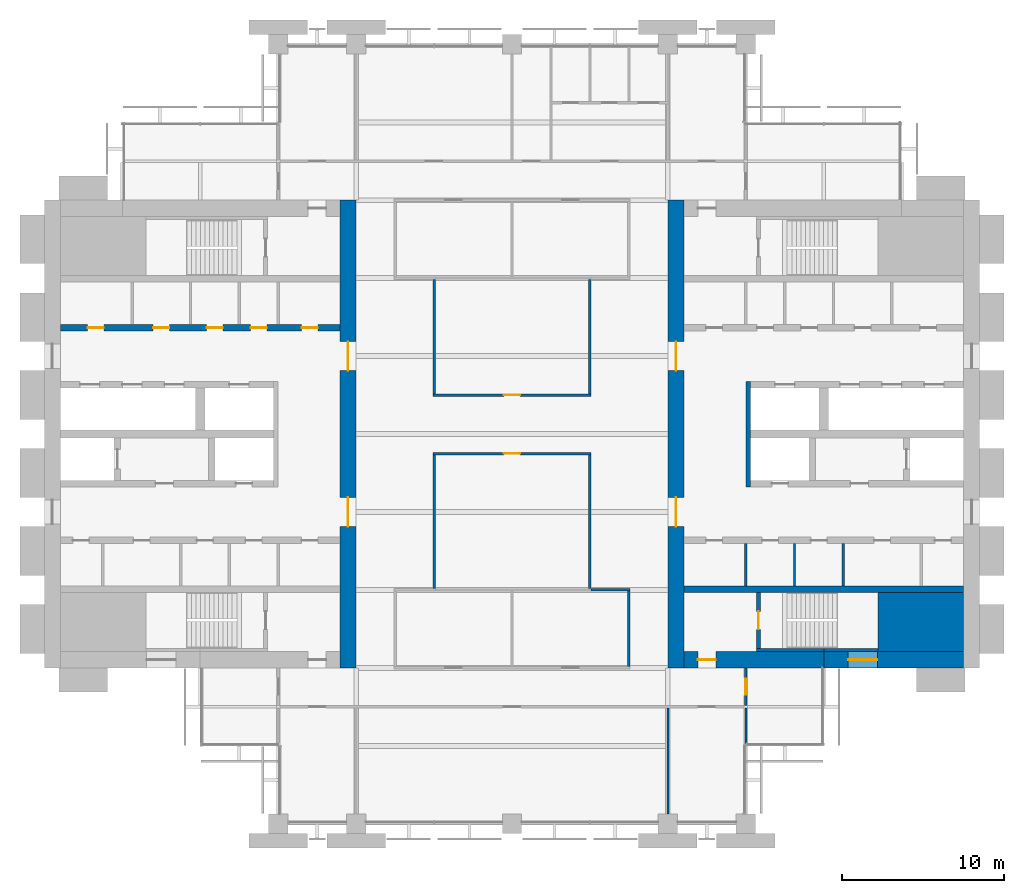
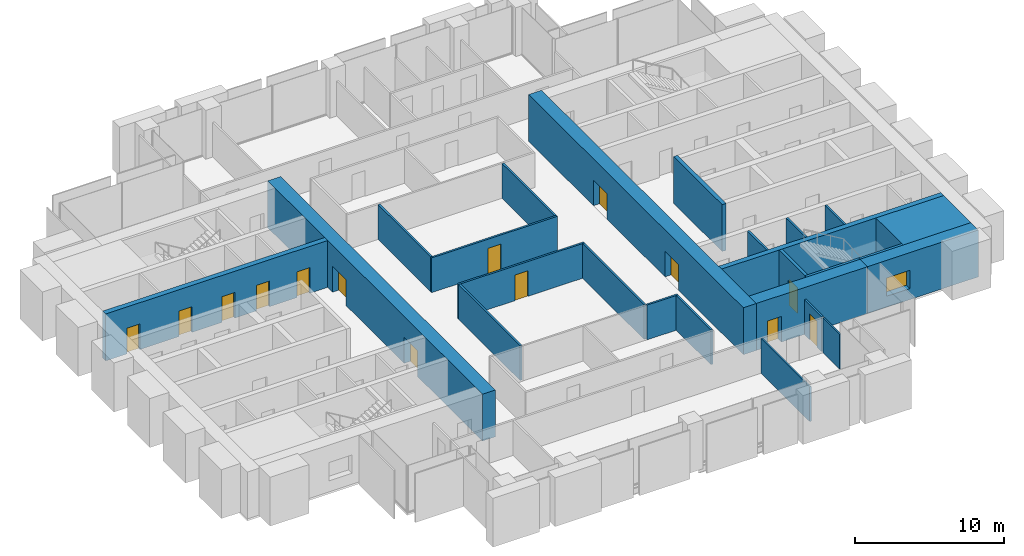
# One storey, part 10 of 14: 25 walls, 14 doors, 1 window, 15 openings.
"""IFC4 building model written with IfcOpenShell, lengths in metres."""

from ifc_helpers import new_model, si_unit, direction, frame, frame_2d, origin, place, context, subcontext, project, spatial, rectangle, extrude, material, layer, layer_set, type_object, element, fill, save


model = new_model("IFC4")

# Units and contexts
model_context = context("Model", 3, precision=1e-05, world=origin(), true_north=direction((0.0, 1.0)))
body_context = subcontext(model_context, "Body", "Model", "MODEL_VIEW")
ifc_project = project(units=[si_unit("LENGTHUNIT", "METRE"), si_unit("AREAUNIT", "SQUARE_METRE"), si_unit("VOLUMEUNIT", "CUBIC_METRE"), si_unit("PLANEANGLEUNIT", "RADIAN"), si_unit("MASSUNIT", "GRAM", prefix="KILO")], contexts=[model_context])

# Site, building, storey
site_placement = place(None, origin())
site = spatial("IfcSite", under=ifc_project, at=site_placement, CompositionType="ELEMENT")
building_placement = place(site_placement, origin())
building = spatial("IfcBuilding", under=site, at=building_placement, Name="Baori Bourse Tower", CompositionType="ELEMENT")
storey_placement = place(building_placement, frame((0.0, 0.0, 124.10009765625)))
storey = spatial("IfcBuildingStorey", under=building, at=storey_placement, Name="L26", CompositionType="ELEMENT", Elevation=124.10009765625)

# Walls
ifc_material_1 = material(Name="Concrete f'c 60 MPa", Category="concrete")
wall_type_1 = type_object("IfcWallType", Name="Core corner block f'c 60", PredefinedType="SHEAR", material=ifc_material_1)
wall_1_placement = place(storey_placement, frame((51.35009765625, 12.425048828125, 0.0), z_axis=(0.0, 0.0, 1.0), x_axis=(1.0, 0.0, 0.0)))
element("IfcWall", 1, at=wall_1_placement, inside=storey, type_object=wall_type_1, Name="Core wall E05", PredefinedType="SHEAR", context=body_context, shape_type="SweptSolid", body=[
    extrude(rectangle(XDim=5.25, YDim=3.64990234375, at=frame_2d((2.625, 0.0))), origin(), (0.0, 0.0, 1.0), 3.83984375),
])
ifc_material_2 = material(Name="Blockwork partition", Category="masonry")
ifc_layer_1 = layer(ifc_material_2, 0.14990234375)
ifc_layer_set_1 = layer_set([ifc_layer_1], Name="Core partition 150")
wall_type_2 = type_object("IfcWallType", Name="Core partition 150", PredefinedType="PARTITIONING", material=ifc_layer_set_1)
for number, where, z_axis, x_axis, name in (
    (2, (49.199951171875, 14.64990234375, 0.0), (0.0, 0.0, 1.0), (0.0, 1.0, 0.0), "Partition wall E11"),
    (3, (46.199951171875, 14.64990234375, 0.0), (0.0, 0.0, 1.0), (0.0, 1.0, 0.0), "Partition wall E12"),
    (4, (43.199951171875, 14.64990234375, 0.0), (0.0, 0.0, 1.0), (0.0, 1.0, 0.0), "Partition wall E13"),
):
    element("IfcWall", number, at=place(storey_placement, frame(where, z_axis=z_axis, x_axis=x_axis)), inside=storey, type_object=wall_type_2, Name=name, PredefinedType="PARTITIONING", context=body_context, shape_type="SweptSolid", body=[
        extrude(rectangle(XDim=2.60009765625, YDim=0.14990234375, at=frame_2d((1.300048828125, 0.0))), origin(), (0.0, 0.0, 1.0), 3.83984375),
    ])

# Wall, openings, doors
ifc_material_3 = material(Name="Concrete f'c 60 MPa", Category="concrete")
ifc_layer_2 = layer(ifc_material_3, 1.0)
ifc_layer_set_2 = layer_set([ifc_layer_2], Name="Core wall 1000 f'c 60")
wall_type_3 = type_object("IfcWallType", Name="Core wall 1000 f'c 60", PredefinedType="SHEAR", material=ifc_layer_set_2)
wall_2_placement = place(storey_placement, frame((18.699951171875, 38.39990234375, 0.0), z_axis=(0.0, 0.0, 1.0), x_axis=(0.0, -1.0, 0.0)))
wall_2 = element("IfcWall", 5, at=wall_2_placement, inside=storey, type_object=wall_type_3, Name="Core wall W04", PredefinedType="SHEAR", context=body_context, shape_type="SweptSolid", body=[
    extrude(rectangle(XDim=28.7998046875, YDim=1.0, at=frame_2d((14.39990234375, 0.0))), origin(), (0.0, 0.0, 1.0), 3.83984375),
])
opening_1_placement = place(wall_2_placement, frame((18.300048828125, 0.0, 0.0)))
opening_1 = element("IfcOpeningElement", 6, at=opening_1_placement, cuts=wall_2, Name="Opening L26-D107", PredefinedType="OPENING", context=body_context, shape_type="SweptSolid", body=[
    extrude(rectangle(XDim=1.800048828125, YDim=2.10009765625, at=frame_2d((0.89990234375, 1.050048828125))), frame((0.0, 0.510009765625, 0.0), z_axis=(0.0, -1.0, 0.0), x_axis=(1.0, 0.0, 0.0)), (0.0, 0.0, 1.0), 1.02001953125),
])
opening_2_placement = place(wall_2_placement, frame((8.699951171875, 0.0, 0.0)))
opening_2 = element("IfcOpeningElement", 7, at=opening_2_placement, cuts=wall_2, Name="Opening L26-D108", PredefinedType="OPENING", context=body_context, shape_type="SweptSolid", body=[
    extrude(rectangle(XDim=1.800048828125, YDim=2.10009765625, at=frame_2d((0.89990234375, 1.050048828125))), frame((0.0, 0.510009765625, 0.0), z_axis=(0.0, -1.0, 0.0), x_axis=(1.0, 0.0, 0.0)), (0.0, 0.0, 1.0), 1.02001953125),
])
ifc_material_4 = material(Name="Painted steel door", Category="steel")
door_type_1 = type_object("IfcDoorType", Name="Core lobby door 1800", OperationType="DOUBLE_DOOR_SINGLE_SWING", PredefinedType="DOOR", material=ifc_material_4)
door_1_placement = place(opening_1_placement, origin())
door_1 = element("IfcDoor", 8, at=door_1_placement, inside=storey, type_object=door_type_1, Name="Lobby door W L26", OperationType="DOUBLE_DOOR_SINGLE_SWING", OverallHeight=2.10009765625, OverallWidth=1.800048828125, PredefinedType="DOOR", context=body_context, shape_type="SweptSolid", body=[
    extrude(rectangle(XDim=1.800048828125, YDim=2.10009765625, at=frame_2d((0.89990234375, 1.050048828125))), frame((0.0, 0.02490234375, 0.0), z_axis=(0.0, -1.0, 0.0), x_axis=(1.0, 0.0, 0.0)), (0.0, 0.0, 1.0), 0.050048828125),
])
fill(opening_1, door_1)
door_2_placement = place(opening_2_placement, origin())
door_2 = element("IfcDoor", 9, at=door_2_placement, inside=storey, type_object=door_type_1, Name="Lobby door W L26", OperationType="DOUBLE_DOOR_SINGLE_SWING", OverallHeight=2.10009765625, OverallWidth=1.800048828125, PredefinedType="DOOR", context=body_context, shape_type="SweptSolid", body=[
    extrude(rectangle(XDim=1.800048828125, YDim=2.10009765625, at=frame_2d((0.89990234375, 1.050048828125))), frame((0.0, 0.02490234375, 0.0), z_axis=(0.0, -1.0, 0.0), x_axis=(1.0, 0.0, 0.0)), (0.0, 0.0, 1.0), 0.050048828125),
])
fill(opening_2, door_2)

# Wall, opening, window
wall_3_placement = place(storey_placement, frame((56.60009765625, 10.10009765625, 0.0), z_axis=(0.0, 0.0, 1.0), x_axis=(-1.0, 0.0, 0.0)))
wall_3 = element("IfcWall", 10, at=wall_3_placement, inside=storey, type_object=wall_type_3, Name="Core wall E02", PredefinedType="SHEAR", context=body_context, shape_type="SweptSolid", body=[
    extrude(rectangle(XDim=8.60009765625, YDim=1.0, at=frame_2d((4.300048828125, 0.0))), origin(), (0.0, 0.0, 1.0), 3.83984375),
])
opening_3_placement = place(wall_3_placement, frame((5.300048828125, 0.0, 0.89990234375)))
opening_3 = element("IfcOpeningElement", 11, at=opening_3_placement, cuts=wall_3, Name="Opening L26-KW203", PredefinedType="OPENING", context=body_context, shape_type="SweptSolid", body=[
    extrude(rectangle(XDim=1.800048828125, YDim=1.5, at=frame_2d((0.89990234375, 0.75))), frame((0.0, 0.510009765625, 0.0), z_axis=(0.0, -1.0, 0.0), x_axis=(1.0, 0.0, 0.0)), (0.0, 0.0, 1.0), 1.02001953125),
])
ifc_material_5 = material(Name="Pale anodised aluminium", Category="aluminium")
window_type = type_object("IfcWindowType", Name="Stair window 1800 x 1500", PartitioningType="SINGLE_PANEL", PredefinedType="WINDOW", material=ifc_material_5)
window_placement = place(opening_3_placement, origin())
window = element("IfcWindow", 12, at=window_placement, inside=storey, type_object=window_type, Name="Stair window E L26 3", OverallHeight=1.5, OverallWidth=1.800048828125, PartitioningType="SINGLE_PANEL", PredefinedType="WINDOW", context=body_context, shape_type="SweptSolid", body=[
    extrude(rectangle(XDim=1.800048828125, YDim=1.5, at=frame_2d((0.89990234375, 0.75))), frame((0.0, 0.030029296875, 0.0), z_axis=(0.0, -1.0, 0.0), x_axis=(1.0, 0.0, 0.0)), (0.0, 0.0, 1.0), 0.06005859375),
])
fill(opening_3, window)

# Wall, opening, door
wall_4_placement = place(storey_placement, frame((48.0, 10.10009765625, 0.0), z_axis=(0.0, 0.0, 1.0), x_axis=(-1.0, 0.0, 0.0)))
wall_4 = element("IfcWall", 13, at=wall_4_placement, inside=storey, type_object=wall_type_3, Name="Core wall E03", PredefinedType="SHEAR", context=body_context, shape_type="SweptSolid", body=[
    extrude(rectangle(XDim=8.60009765625, YDim=1.0, at=frame_2d((4.300048828125, 0.0))), origin(), (0.0, 0.0, 1.0), 3.83984375),
])
opening_4_placement = place(wall_4_placement, frame((6.64990234375, 0.0, 0.0)))
opening_4 = element("IfcOpeningElement", 14, at=opening_4_placement, cuts=wall_4, Name="Opening L26-D202", PredefinedType="OPENING", context=body_context, shape_type="SweptSolid", body=[
    extrude(rectangle(XDim=1.10009765625, YDim=2.10009765625, at=frame_2d((0.550048828125, 1.050048828125))), frame((0.0, 0.510009765625, 0.0), z_axis=(0.0, -1.0, 0.0), x_axis=(1.0, 0.0, 0.0)), (0.0, 0.0, 1.0), 1.02001953125),
])
ifc_material_6 = material(Name="Painted steel door", Category="steel")
door_type_2 = type_object("IfcDoorType", Name="Stair door 1100", OperationType="SINGLE_SWING_LEFT", PredefinedType="DOOR", material=ifc_material_6)
door_3_placement = place(opening_4_placement, origin())
door_3 = element("IfcDoor", 15, at=door_3_placement, inside=storey, type_object=door_type_2, Name="Stair vestibule door A E L26", OperationType="SINGLE_SWING_LEFT", OverallHeight=2.10009765625, OverallWidth=1.10009765625, PredefinedType="DOOR", context=body_context, shape_type="SweptSolid", body=[
    extrude(rectangle(XDim=1.10009765625, YDim=2.10009765625, at=frame_2d((0.550048828125, 1.050048828125))), frame((0.0, 0.02490234375, 0.0), z_axis=(0.0, -1.0, 0.0), x_axis=(1.0, 0.0, 0.0)), (0.0, 0.0, 1.0), 0.050048828125),
])
fill(opening_4, door_3)

# Wall, openings, doors
wall_5_placement = place(storey_placement, frame((38.89990234375, 9.60009765625, 0.0), z_axis=(0.0, 0.0, 1.0), x_axis=(0.0, 1.0, 0.0)))
wall_5 = element("IfcWall", 16, at=wall_5_placement, inside=storey, type_object=wall_type_3, Name="Core wall E04", PredefinedType="SHEAR", context=body_context, shape_type="SweptSolid", body=[
    extrude(rectangle(XDim=28.7998046875, YDim=1.0, at=frame_2d((14.39990234375, 0.0))), origin(), (0.0, 0.0, 1.0), 3.83984375),
])
opening_5_placement = place(wall_5_placement, frame((8.699951171875, 0.0, 0.0)))
opening_5 = element("IfcOpeningElement", 17, at=opening_5_placement, cuts=wall_5, Name="Opening L26-D207", PredefinedType="OPENING", context=body_context, shape_type="SweptSolid", body=[
    extrude(rectangle(XDim=1.800048828125, YDim=2.10009765625, at=frame_2d((0.89990234375, 1.050048828125))), frame((0.0, 0.510009765625, 0.0), z_axis=(0.0, -1.0, 0.0), x_axis=(1.0, 0.0, 0.0)), (0.0, 0.0, 1.0), 1.02001953125),
])
opening_6_placement = place(wall_5_placement, frame((18.300048828125, 0.0, 0.0)))
opening_6 = element("IfcOpeningElement", 18, at=opening_6_placement, cuts=wall_5, Name="Opening L26-D208", PredefinedType="OPENING", context=body_context, shape_type="SweptSolid", body=[
    extrude(rectangle(XDim=1.800048828125, YDim=2.10009765625, at=frame_2d((0.89990234375, 1.050048828125))), frame((0.0, 0.510009765625, 0.0), z_axis=(0.0, -1.0, 0.0), x_axis=(1.0, 0.0, 0.0)), (0.0, 0.0, 1.0), 1.02001953125),
])
door_4_placement = place(opening_5_placement, origin())
door_4 = element("IfcDoor", 19, at=door_4_placement, inside=storey, type_object=door_type_1, Name="Lobby door E L26", OperationType="DOUBLE_DOOR_SINGLE_SWING", OverallHeight=2.10009765625, OverallWidth=1.800048828125, PredefinedType="DOOR", context=body_context, shape_type="SweptSolid", body=[
    extrude(rectangle(XDim=1.800048828125, YDim=2.10009765625, at=frame_2d((0.89990234375, 1.050048828125))), frame((0.0, 0.02490234375, 0.0), z_axis=(0.0, -1.0, 0.0), x_axis=(1.0, 0.0, 0.0)), (0.0, 0.0, 1.0), 0.050048828125),
])
fill(opening_5, door_4)
door_5_placement = place(opening_6_placement, origin())
door_5 = element("IfcDoor", 20, at=door_5_placement, inside=storey, type_object=door_type_1, Name="Lobby door E L26", OperationType="DOUBLE_DOOR_SINGLE_SWING", OverallHeight=2.10009765625, OverallWidth=1.800048828125, PredefinedType="DOOR", context=body_context, shape_type="SweptSolid", body=[
    extrude(rectangle(XDim=1.800048828125, YDim=2.10009765625, at=frame_2d((0.89990234375, 1.050048828125))), frame((0.0, 0.02490234375, 0.0), z_axis=(0.0, -1.0, 0.0), x_axis=(1.0, 0.0, 0.0)), (0.0, 0.0, 1.0), 0.050048828125),
])
fill(opening_6, door_5)

# Wall
ifc_material_7 = material(Name="Gypsum board partition")
ifc_layer_3 = layer(ifc_material_7, 0.14990234375)
ifc_layer_set_3 = layer_set([ifc_layer_3], Name="Corridor partition 150")
wall_type_4 = type_object("IfcWallType", Name="Corridor partition 150", PredefinedType="PARTITIONING", material=ifc_layer_set_3)
wall_6_placement = place(storey_placement, frame((33.675048828125, 14.39990234375, 0.0), z_axis=(0.0, 0.0, 1.0), x_axis=(1.0, 0.0, 0.0)))
element("IfcWall", 21, at=wall_6_placement, inside=storey, type_object=wall_type_4, Name="Partition", PredefinedType="PARTITIONING", context=body_context, shape_type="SweptSolid", body=[
    extrude(rectangle(XDim=2.39990234375, YDim=0.14990234375, at=frame_2d((1.199951171875, 0.0))), origin(), (0.0, 0.0, 1.0), 2.849365234375),
])

# Wall, opening, door
wall_7_placement = place(storey_placement, frame((23.925048828125, 22.800048828125, 0.0), z_axis=(0.0, 0.0, 1.0), x_axis=(1.0, 0.0, 0.0)))
wall_7 = element("IfcWall", 22, at=wall_7_placement, inside=storey, type_object=wall_type_4, Name="Partition", PredefinedType="PARTITIONING", context=body_context, shape_type="SweptSolid", body=[
    extrude(rectangle(XDim=9.75, YDim=0.14990234375, at=frame_2d((4.875, 0.0))), origin(), (0.0, 0.0, 1.0), 2.849365234375),
])
opening_7_placement = place(wall_7_placement, frame((4.375, 0.0, 0.0)))
opening_7 = element("IfcOpeningElement", 23, at=opening_7_placement, cuts=wall_7, Name="Opening L26-D06", PredefinedType="OPENING", context=body_context, shape_type="SweptSolid", body=[
    extrude(rectangle(XDim=1.0, YDim=2.10009765625, at=frame_2d((0.5, 1.050048828125))), frame((0.0, 0.0849609375, 0.0), z_axis=(0.0, -1.0, 0.0), x_axis=(1.0, 0.0, 0.0)), (0.0, 0.0, 1.0), 0.169921875),
])
ifc_material_8 = material(Name="Timber door leaf", Category="wood")
door_type_3 = type_object("IfcDoorType", Name="Door 1000 x 2100", OperationType="SINGLE_SWING_LEFT", PredefinedType="DOOR", material=ifc_material_8)
door_6_placement = place(opening_7_placement, origin())
door_6 = element("IfcDoor", 24, at=door_6_placement, inside=storey, type_object=door_type_3, Name="Door", OperationType="SINGLE_SWING_RIGHT", OverallHeight=2.10009765625, OverallWidth=1.0, PredefinedType="DOOR", context=body_context, shape_type="SweptSolid", body=[
    extrude(rectangle(XDim=1.0, YDim=2.10009765625, at=frame_2d((0.5, 1.050048828125))), frame((0.0, 0.02490234375, 0.0), z_axis=(0.0, -1.0, 0.0), x_axis=(1.0, 0.0, 0.0)), (0.0, 0.0, 1.0), 0.050048828125),
])
fill(opening_7, door_6)

wall_8_placement = place(storey_placement, frame((23.925048828125, 26.39990234375, 0.0), z_axis=(0.0, 0.0, 1.0), x_axis=(1.0, 0.0, 0.0)))
wall_8 = element("IfcWall", 25, at=wall_8_placement, inside=storey, type_object=wall_type_4, Name="Partition", PredefinedType="PARTITIONING", context=body_context, shape_type="SweptSolid", body=[
    extrude(rectangle(XDim=9.75, YDim=0.14990234375, at=frame_2d((4.875, 0.0))), origin(), (0.0, 0.0, 1.0), 2.849365234375),
])
opening_8_placement = place(wall_8_placement, frame((4.375, 0.0, 0.0)))
opening_8 = element("IfcOpeningElement", 26, at=opening_8_placement, cuts=wall_8, Name="Opening L26-D07", PredefinedType="OPENING", context=body_context, shape_type="SweptSolid", body=[
    extrude(rectangle(XDim=1.0, YDim=2.10009765625, at=frame_2d((0.5, 1.050048828125))), frame((0.0, 0.0849609375, 0.0), z_axis=(0.0, -1.0, 0.0), x_axis=(1.0, 0.0, 0.0)), (0.0, 0.0, 1.0), 0.169921875),
])
door_7_placement = place(opening_8_placement, origin())
door_7 = element("IfcDoor", 27, at=door_7_placement, inside=storey, type_object=door_type_3, Name="Door", OperationType="SINGLE_SWING_LEFT", OverallHeight=2.10009765625, OverallWidth=1.0, PredefinedType="DOOR", context=body_context, shape_type="SweptSolid", body=[
    extrude(rectangle(XDim=1.0, YDim=2.10009765625, at=frame_2d((0.5, 1.050048828125))), frame((0.0, 0.02490234375, 0.0), z_axis=(0.0, -1.0, 0.0), x_axis=(1.0, 0.0, 0.0)), (0.0, 0.0, 1.0), 0.050048828125),
])
fill(opening_8, door_7)

# Walls
wall_9_placement = place(storey_placement, frame((24.0, 14.47509765625, 0.0), z_axis=(0.0, 0.0, 1.0), x_axis=(0.0, 1.0, 0.0)))
element("IfcWall", 28, at=wall_9_placement, inside=storey, type_object=wall_type_4, Name="Partition", PredefinedType="PARTITIONING", context=body_context, shape_type="SweptSolid", body=[
    extrude(rectangle(XDim=8.25, YDim=0.14990234375, at=frame_2d((4.125, 0.0))), origin(), (0.0, 0.0, 1.0), 2.849365234375),
])
wall_10_placement = place(storey_placement, frame((24.0, 26.47509765625, 0.0), z_axis=(0.0, 0.0, 1.0), x_axis=(0.0, 1.0, 0.0)))
element("IfcWall", 29, at=wall_10_placement, inside=storey, type_object=wall_type_4, Name="Partition", PredefinedType="PARTITIONING", context=body_context, shape_type="SweptSolid", body=[
    extrude(rectangle(XDim=7.0498046875, YDim=0.14990234375, at=frame_2d((3.52490234375, 0.0))), origin(), (0.0, 0.0, 1.0), 2.849365234375),
])
wall_11_placement = place(storey_placement, frame((33.60009765625, 14.47509765625, 0.0), z_axis=(0.0, 0.0, 1.0), x_axis=(0.0, 1.0, 0.0)))
element("IfcWall", 30, at=wall_11_placement, inside=storey, type_object=wall_type_4, Name="Partition", PredefinedType="PARTITIONING", context=body_context, shape_type="SweptSolid", body=[
    extrude(rectangle(XDim=8.25, YDim=0.14990234375, at=frame_2d((4.125, 0.0))), origin(), (0.0, 0.0, 1.0), 2.849365234375),
])
wall_12_placement = place(storey_placement, frame((33.60009765625, 26.47509765625, 0.0), z_axis=(0.0, 0.0, 1.0), x_axis=(0.0, 1.0, 0.0)))
element("IfcWall", 31, at=wall_12_placement, inside=storey, type_object=wall_type_4, Name="Partition", PredefinedType="PARTITIONING", context=body_context, shape_type="SweptSolid", body=[
    extrude(rectangle(XDim=7.0498046875, YDim=0.14990234375, at=frame_2d((3.52490234375, 0.0))), origin(), (0.0, 0.0, 1.0), 2.849365234375),
])
wall_13_placement = place(storey_placement, frame((36.0, 9.675048828125, 0.0), z_axis=(0.0, 0.0, 1.0), x_axis=(0.0, 1.0, 0.0)))
element("IfcWall", 32, at=wall_13_placement, inside=storey, type_object=wall_type_4, Name="Partition", PredefinedType="PARTITIONING", context=body_context, shape_type="SweptSolid", body=[
    extrude(rectangle(XDim=4.64990234375, YDim=0.14990234375, at=frame_2d((2.324951171875, 0.0))), origin(), (0.0, 0.0, 1.0), 2.849365234375),
])

# Wall, opening, door
wall_14_placement = place(storey_placement, frame((43.199951171875, 7.27490234375, 0.0), z_axis=(0.0, 0.0, 1.0), x_axis=(0.0, 1.0, 0.0)))
wall_14 = element("IfcWall", 33, at=wall_14_placement, inside=storey, type_object=wall_type_4, Name="Partition", PredefinedType="PARTITIONING", context=body_context, shape_type="SweptSolid", body=[
    extrude(rectangle(XDim=2.3251953125, YDim=0.14990234375, at=frame_2d((1.16259765625, 0.0))), origin(), (0.0, 0.0, 1.0), 2.849365234375),
])
opening_9_placement = place(wall_14_placement, frame((0.66259765625, 0.0, 0.0)))
opening_9 = element("IfcOpeningElement", 34, at=opening_9_placement, cuts=wall_14, Name="Opening L26-D20", PredefinedType="OPENING", context=body_context, shape_type="SweptSolid", body=[
    extrude(rectangle(XDim=1.0, YDim=2.10009765625, at=frame_2d((0.5, 1.050048828125))), frame((0.0, 0.0849609375, 0.0), z_axis=(0.0, -1.0, 0.0), x_axis=(1.0, 0.0, 0.0)), (0.0, 0.0, 1.0), 0.169921875),
])
door_8_placement = place(opening_9_placement, origin())
door_8 = element("IfcDoor", 35, at=door_8_placement, inside=storey, type_object=door_type_3, Name="Door", OperationType="SINGLE_SWING_LEFT", OverallHeight=2.10009765625, OverallWidth=1.0, PredefinedType="DOOR", context=body_context, shape_type="SweptSolid", body=[
    extrude(rectangle(XDim=1.0, YDim=2.10009765625, at=frame_2d((0.5, 1.050048828125))), frame((0.0, 0.02490234375, 0.0), z_axis=(0.0, -1.0, 0.0), x_axis=(1.0, 0.0, 0.0)), (0.0, 0.0, 1.0), 0.050048828125),
])
fill(opening_9, door_8)

# Walls
ifc_material_9 = material(Name="Gypsum board partition")
ifc_layer_4 = layer(ifc_material_9, 0.125)
ifc_layer_set_4 = layer_set([ifc_layer_4], Name="Partition 125")
wall_type_5 = type_object("IfcWallType", Name="Partition 125", PredefinedType="PARTITIONING", material=ifc_layer_set_4)
wall_15_placement = place(storey_placement, frame((38.39990234375, 0.60009765625, 0.0), z_axis=(0.0, 0.0, 1.0), x_axis=(0.0, 1.0, 0.0)))
element("IfcWall", 36, at=wall_15_placement, inside=storey, type_object=wall_type_5, Name="Partition", PredefinedType="PARTITIONING", context=body_context, shape_type="SweptSolid", body=[
    extrude(rectangle(XDim=6.52490234375, YDim=0.125, at=frame_2d((3.262451171875, 0.0))), origin(), (0.0, 0.0, 1.0), 2.849365234375),
])
wall_16_placement = place(storey_placement, frame((43.199951171875, 4.89990234375, 0.0), z_axis=(0.0, 0.0, 1.0), x_axis=(0.0, 1.0, 0.0)))
element("IfcWall", 37, at=wall_16_placement, inside=storey, type_object=wall_type_5, Name="Partition", PredefinedType="PARTITIONING", context=body_context, shape_type="SweptSolid", body=[
    extrude(rectangle(XDim=2.22509765625, YDim=0.125, at=frame_2d((1.112548828125, 0.0))), origin(), (0.0, 0.0, 1.0), 2.849365234375),
])
ifc_material_10 = material(Name="Concrete f'c 60 MPa", Category="concrete")
ifc_layer_5 = layer(ifc_material_10, 0.199951171875)
ifc_layer_set_5 = layer_set([ifc_layer_5], Name="Shaft wall 200 f'c 60")
wall_type_6 = type_object("IfcWallType", Name="Shaft wall 200 f'c 60", PredefinedType="SHEAR", material=ifc_layer_set_5)
wall_17_placement = place(storey_placement, frame((48.0, 10.699951171875, 0.0), z_axis=(0.0, 0.0, 1.0), x_axis=(1.0, 0.0, 0.0)))
element("IfcWall", 38, at=wall_17_placement, inside=storey, type_object=wall_type_6, Name="Core wall E06", PredefinedType="SHEAR", context=body_context, shape_type="SweptSolid", body=[
    extrude(rectangle(XDim=3.35009765625, YDim=0.199951171875, at=frame_2d((1.675048828125, 0.0))), origin(), (0.0, 0.0, 1.0), 3.83984375),
])
wall_18_placement = place(storey_placement, frame((43.85009765625, 10.699951171875, 0.0), z_axis=(0.0, 0.0, 1.0), x_axis=(1.0, 0.0, 0.0)))
element("IfcWall", 39, at=wall_18_placement, inside=storey, type_object=wall_type_6, Name="Core wall E07", PredefinedType="SHEAR", context=body_context, shape_type="SweptSolid", body=[
    extrude(rectangle(XDim=4.14990234375, YDim=0.199951171875, at=frame_2d((2.074951171875, 0.0))), origin(), (0.0, 0.0, 1.0), 3.83984375),
])

# Wall, opening, door
ifc_material_11 = material(Name="Concrete f'c 60 MPa", Category="concrete")
ifc_layer_6 = layer(ifc_material_11, 0.25)
ifc_layer_set_6 = layer_set([ifc_layer_6], Name="Shaft wall 250 f'c 60")
wall_type_7 = type_object("IfcWallType", Name="Shaft wall 250 f'c 60", PredefinedType="SHEAR", material=ifc_layer_set_6)
wall_19_placement = place(storey_placement, frame((43.97509765625, 10.800048828125, 0.0), z_axis=(0.0, 0.0, 1.0), x_axis=(0.0, 1.0, 0.0)))
wall_19 = element("IfcWall", 40, at=wall_19_placement, inside=storey, type_object=wall_type_7, Name="Core wall E08", PredefinedType="SHEAR", context=body_context, shape_type="SweptSolid", body=[
    extrude(rectangle(XDim=3.449951171875, YDim=0.25, at=frame_2d((1.72509765625, 0.0))), origin(), (0.0, 0.0, 1.0), 3.83984375),
])
opening_10_placement = place(wall_19_placement, frame((1.175048828125, 0.0, 0.0)))
opening_10 = element("IfcOpeningElement", 41, at=opening_10_placement, cuts=wall_19, Name="Opening L26-D201", PredefinedType="OPENING", context=body_context, shape_type="SweptSolid", body=[
    extrude(rectangle(XDim=1.10009765625, YDim=2.10009765625, at=frame_2d((0.550048828125, 1.050048828125))), frame((0.0, 0.135009765625, 0.0), z_axis=(0.0, -1.0, 0.0), x_axis=(1.0, 0.0, 0.0)), (0.0, 0.0, 1.0), 0.27001953125),
])
door_9_placement = place(opening_10_placement, origin())
door_9 = element("IfcDoor", 42, at=door_9_placement, inside=storey, type_object=door_type_2, Name="Stair door A E L26", OperationType="SINGLE_SWING_LEFT", OverallHeight=2.10009765625, OverallWidth=1.10009765625, PredefinedType="DOOR", context=body_context, shape_type="SweptSolid", body=[
    extrude(rectangle(XDim=1.10009765625, YDim=2.10009765625, at=frame_2d((0.550048828125, 1.050048828125))), frame((0.0, 0.02490234375, 0.0), z_axis=(0.0, -1.0, 0.0), x_axis=(1.0, 0.0, 0.0)), (0.0, 0.0, 1.0), 0.050048828125),
])
fill(opening_10, door_9)

# Wall
ifc_material_12 = material(Name="Concrete f'c 60 MPa", Category="concrete")
ifc_layer_7 = layer(ifc_material_12, 0.300048828125)
ifc_layer_set_7 = layer_set([ifc_layer_7], Name="Shaft wall 300 f'c 60")
wall_type_8 = type_object("IfcWallType", Name="Shaft wall 300 f'c 60", PredefinedType="SHEAR", material=ifc_layer_set_7)
wall_20_placement = place(storey_placement, frame((43.35009765625, 20.75, 0.0), z_axis=(0.0, 0.0, 1.0), x_axis=(0.0, 1.0, 0.0)))
element("IfcWall", 43, at=wall_20_placement, inside=storey, type_object=wall_type_8, Name="Core wall E16", PredefinedType="SHEAR", context=body_context, shape_type="SweptSolid", body=[
    extrude(rectangle(XDim=6.5, YDim=0.300048828125, at=frame_2d((3.25, 0.0))), origin(), (0.0, 0.0, 1.0), 3.83984375),
])

# Wall, openings, doors
ifc_material_13 = material(Name="Concrete f'c 60 MPa", Category="concrete")
ifc_layer_8 = layer(ifc_material_13, 0.39990234375)
ifc_layer_set_8 = layer_set([ifc_layer_8], Name="Shaft wall 400 f'c 60")
wall_type_9 = type_object("IfcWallType", Name="Shaft wall 400 f'c 60", PredefinedType="SHEAR", material=ifc_layer_set_8)
wall_21_placement = place(storey_placement, frame((1.0, 30.550048828125, 0.0), z_axis=(0.0, 0.0, 1.0), x_axis=(1.0, 0.0, 0.0)))
wall_21 = element("IfcWall", 44, at=wall_21_placement, inside=storey, type_object=wall_type_9, Name="Core wall W22", PredefinedType="SHEAR", context=body_context, shape_type="SweptSolid", body=[
    extrude(rectangle(XDim=17.199951171875, YDim=0.39990234375, at=frame_2d((8.60009765625, 0.0))), origin(), (0.0, 0.0, 1.0), 3.83984375),
])
opening_11_placement = place(wall_21_placement, frame((1.66259765625, 0.0, 0.0)))
opening_11 = element("IfcOpeningElement", 45, at=opening_11_placement, cuts=wall_21, Name="Opening L26-D109", PredefinedType="OPENING", context=body_context, shape_type="SweptSolid", body=[
    extrude(rectangle(XDim=1.0, YDim=2.10009765625, at=frame_2d((0.5, 1.050048828125))), frame((0.0, 0.2099609375, 0.0), z_axis=(0.0, -1.0, 0.0), x_axis=(1.0, 0.0, 0.0)), (0.0, 0.0, 1.0), 0.419921875),
])
opening_12_placement = place(wall_21_placement, frame((5.699951171875, 0.0, 0.0)))
opening_12 = element("IfcOpeningElement", 46, at=opening_12_placement, cuts=wall_21, Name="Opening L26-D110", PredefinedType="OPENING", context=body_context, shape_type="SweptSolid", body=[
    extrude(rectangle(XDim=1.0, YDim=2.10009765625, at=frame_2d((0.5, 1.050048828125))), frame((0.0, 0.2099609375, 0.0), z_axis=(0.0, -1.0, 0.0), x_axis=(1.0, 0.0, 0.0)), (0.0, 0.0, 1.0), 0.419921875),
])
opening_13_placement = place(wall_21_placement, frame((9.0, 0.0, 0.0)))
opening_13 = element("IfcOpeningElement", 47, at=opening_13_placement, cuts=wall_21, Name="Opening L26-D111", PredefinedType="OPENING", context=body_context, shape_type="SweptSolid", body=[
    extrude(rectangle(XDim=1.0, YDim=2.10009765625, at=frame_2d((0.5, 1.050048828125))), frame((0.0, 0.2099609375, 0.0), z_axis=(0.0, -1.0, 0.0), x_axis=(1.0, 0.0, 0.0)), (0.0, 0.0, 1.0), 0.419921875),
])
opening_14_placement = place(wall_21_placement, frame((11.699951171875, 0.0, 0.0)))
opening_14 = element("IfcOpeningElement", 48, at=opening_14_placement, cuts=wall_21, Name="Opening L26-D112", PredefinedType="OPENING", context=body_context, shape_type="SweptSolid", body=[
    extrude(rectangle(XDim=1.0, YDim=2.10009765625, at=frame_2d((0.5, 1.050048828125))), frame((0.0, 0.2099609375, 0.0), z_axis=(0.0, -1.0, 0.0), x_axis=(1.0, 0.0, 0.0)), (0.0, 0.0, 1.0), 0.419921875),
])
opening_15_placement = place(wall_21_placement, frame((14.83740234375, 0.0, 0.0)))
opening_15 = element("IfcOpeningElement", 49, at=opening_15_placement, cuts=wall_21, Name="Opening L26-D113", PredefinedType="OPENING", context=body_context, shape_type="SweptSolid", body=[
    extrude(rectangle(XDim=1.0, YDim=2.10009765625, at=frame_2d((0.5, 1.050048828125))), frame((0.0, 0.2099609375, 0.0), z_axis=(0.0, -1.0, 0.0), x_axis=(1.0, 0.0, 0.0)), (0.0, 0.0, 1.0), 0.419921875),
])
ifc_material_14 = material(Name="Painted steel door", Category="steel")
door_type_4 = type_object("IfcDoorType", Name="Core door 1000", OperationType="SINGLE_SWING_LEFT", PredefinedType="DOOR", material=ifc_material_14)
door_10_placement = place(opening_11_placement, origin())
door_10 = element("IfcDoor", 50, at=door_10_placement, inside=storey, type_object=door_type_4, Name="Men'S Wc door W L26", OperationType="SINGLE_SWING_LEFT", OverallHeight=2.10009765625, OverallWidth=1.0, PredefinedType="DOOR", context=body_context, shape_type="SweptSolid", body=[
    extrude(rectangle(XDim=1.0, YDim=2.10009765625, at=frame_2d((0.5, 1.050048828125))), frame((0.0, 0.02490234375, 0.0), z_axis=(0.0, -1.0, 0.0), x_axis=(1.0, 0.0, 0.0)), (0.0, 0.0, 1.0), 0.050048828125),
])
fill(opening_11, door_10)
door_11_placement = place(opening_12_placement, origin())
door_11 = element("IfcDoor", 51, at=door_11_placement, inside=storey, type_object=door_type_4, Name="Women'S Wc door W L26", OperationType="SINGLE_SWING_LEFT", OverallHeight=2.10009765625, OverallWidth=1.0, PredefinedType="DOOR", context=body_context, shape_type="SweptSolid", body=[
    extrude(rectangle(XDim=1.0, YDim=2.10009765625, at=frame_2d((0.5, 1.050048828125))), frame((0.0, 0.02490234375, 0.0), z_axis=(0.0, -1.0, 0.0), x_axis=(1.0, 0.0, 0.0)), (0.0, 0.0, 1.0), 0.050048828125),
])
fill(opening_12, door_11)
door_12_placement = place(opening_15_placement, origin())
door_12 = element("IfcDoor", 52, at=door_12_placement, inside=storey, type_object=door_type_4, Name="Accessible Wc door W L26", OperationType="SINGLE_SWING_LEFT", OverallHeight=2.10009765625, OverallWidth=1.0, PredefinedType="DOOR", context=body_context, shape_type="SweptSolid", body=[
    extrude(rectangle(XDim=1.0, YDim=2.10009765625, at=frame_2d((0.5, 1.050048828125))), frame((0.0, 0.02490234375, 0.0), z_axis=(0.0, -1.0, 0.0), x_axis=(1.0, 0.0, 0.0)), (0.0, 0.0, 1.0), 0.050048828125),
])
fill(opening_15, door_12)
ifc_material_15 = material(Name="Painted steel door", Category="steel")
door_type_5 = type_object("IfcDoorType", Name="Plant room door 1000", OperationType="SINGLE_SWING_LEFT", PredefinedType="DOOR", material=ifc_material_15)
door_13_placement = place(opening_13_placement, origin())
door_13 = element("IfcDoor", 53, at=door_13_placement, inside=storey, type_object=door_type_5, Name="Communications Room door W L26", OperationType="SINGLE_SWING_LEFT", OverallHeight=2.10009765625, OverallWidth=1.0, PredefinedType="DOOR", context=body_context, shape_type="SweptSolid", body=[
    extrude(rectangle(XDim=1.0, YDim=2.10009765625, at=frame_2d((0.5, 1.050048828125))), frame((0.0, 0.02490234375, 0.0), z_axis=(0.0, -1.0, 0.0), x_axis=(1.0, 0.0, 0.0)), (0.0, 0.0, 1.0), 0.050048828125),
])
fill(opening_13, door_13)
door_14_placement = place(opening_14_placement, origin())
door_14 = element("IfcDoor", 54, at=door_14_placement, inside=storey, type_object=door_type_5, Name="Plumbing Equipment Room door W L26", OperationType="SINGLE_SWING_LEFT", OverallHeight=2.10009765625, OverallWidth=1.0, PredefinedType="DOOR", context=body_context, shape_type="SweptSolid", body=[
    extrude(rectangle(XDim=1.0, YDim=2.10009765625, at=frame_2d((0.5, 1.050048828125))), frame((0.0, 0.02490234375, 0.0), z_axis=(0.0, -1.0, 0.0), x_axis=(1.0, 0.0, 0.0)), (0.0, 0.0, 1.0), 0.050048828125),
])
fill(opening_14, door_14)

# Wall
wall_22_placement = place(storey_placement, frame((39.39990234375, 14.449951171875, 0.0), z_axis=(0.0, 0.0, 1.0), x_axis=(1.0, 0.0, 0.0)))
element("IfcWall", 55, at=wall_22_placement, inside=storey, type_object=wall_type_9, Name="Core wall E09", PredefinedType="SHEAR", context=body_context, shape_type="SweptSolid", body=[
    extrude(rectangle(XDim=17.2001953125, YDim=0.39990234375, at=frame_2d((8.60009765625, 0.0))), origin(), (0.0, 0.0, 1.0), 3.83984375),
])

save(model, "model.ifc")
